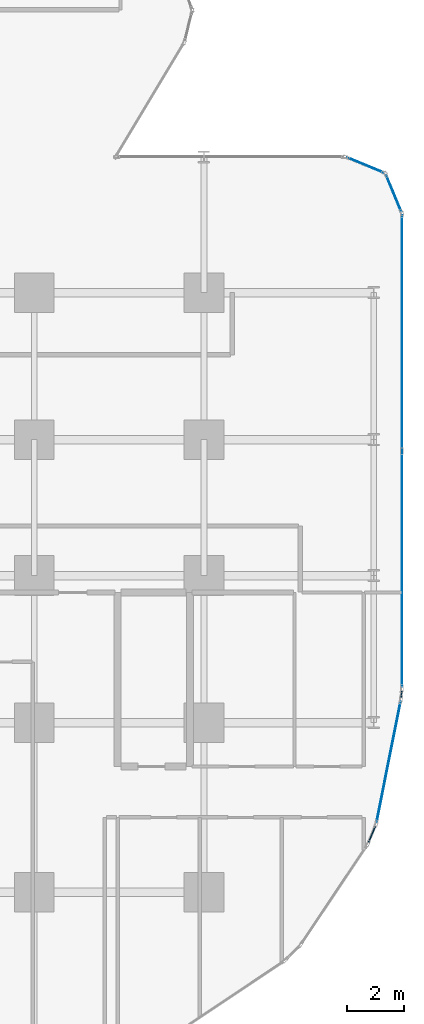
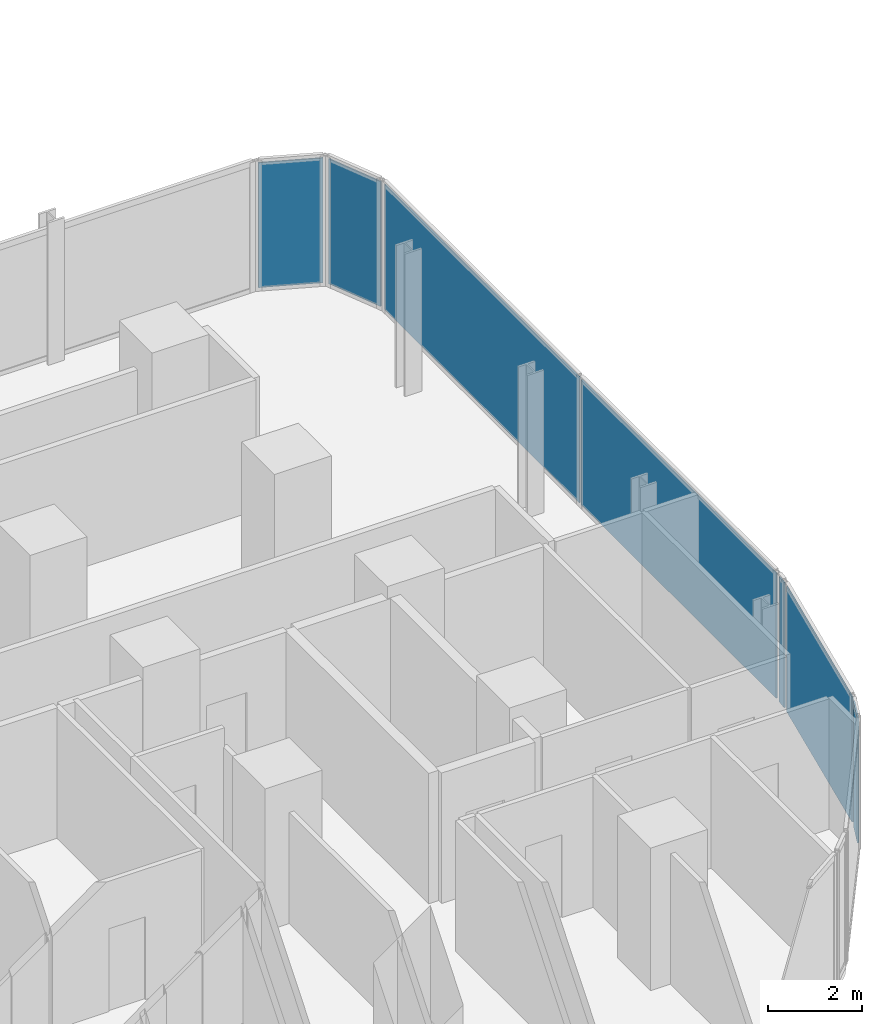
# One storey, part 25 of 33: 7 plates, 6 elements without a shape of their own.
"""IFC4 building model written with IfcOpenShell, lengths in metres."""

from ifc_helpers import new_model, si_unit, direction, frame, origin, origin_2d, place, context, subcontext, project, spatial, rectangle, extrude, material, layer, layer_set, type_object, element, aggregate, save


model = new_model("IFC4")

# Units and contexts
model_context = context("Model", 3, precision=1e-05, world=origin(), true_north=direction((0.0, 1.0)))
body_context = subcontext(model_context, "Body", "Model", "MODEL_VIEW")
ifc_project = project(units=[si_unit("LENGTHUNIT", "METRE"), si_unit("AREAUNIT", "SQUARE_METRE"), si_unit("VOLUMEUNIT", "CUBIC_METRE"), si_unit("PLANEANGLEUNIT", "RADIAN"), si_unit("MASSUNIT", "GRAM", prefix="KILO")], contexts=[model_context])

# Site, building, storey
site_placement = place(None, origin())
site = spatial("IfcSite", under=ifc_project, at=site_placement, CompositionType="ELEMENT")
building_placement = place(site_placement, origin())
building = spatial("IfcBuilding", under=site, at=building_placement, Name="Keshet Zoharim Tower", CompositionType="ELEMENT")
storey_placement = place(building_placement, frame((0.0, 0.0, 27.699951171875)))
storey = spatial("IfcBuildingStorey", under=building, at=storey_placement, Name="L05", CompositionType="ELEMENT", Elevation=27.699951171875)

# Curtain wall, plate
ifc_material_1 = material(Name="Aluminium 6063-T6", Category="aluminium")
ifc_layer_1 = layer(ifc_material_1, 0.179931640625)
ifc_layer_set_1 = layer_set([ifc_layer_1], Name="Aluminium 6063-T6")
curtain_wall_type_1 = type_object("IfcCurtainWallType", Name="CW-SYS-01", PredefinedType="NOTDEFINED", material=ifc_layer_set_1)
curtain_wall_1_placement = place(storey_placement, origin())
curtain_wall_1 = element("IfcCurtainWall", 1, at=curtain_wall_1_placement, inside=storey, type_object=curtain_wall_type_1, Name="L05 Unitised Curtain Wall 19", PredefinedType="NOTDEFINED")
ifc_material_2 = material(Name="Insulated Low-E Clear Glass", Category="glass")
ifc_layer_2 = layer(ifc_material_2, 0.035888671875)
ifc_layer_set_2 = layer_set([ifc_layer_2], Name="Insulated Low-E Clear Glass")
plate_type_1 = type_object("IfcPlateType", Name="CWP-01", PredefinedType="CURTAIN_PANEL", material=ifc_layer_set_2)
plate_1_placement = place(storey_placement, frame((68.9384765625, 8.75439453125, 0.070068359375), z_axis=(0.0, 0.0, 1.0), x_axis=(-0.383068349739, -0.923720000557, 0.0)))
plate_1 = element("IfcPlate", 2, at=plate_1_placement, type_object=plate_type_1, Name="CW-01 panel 1.1", PredefinedType="CURTAIN_PANEL", context=body_context, shape_type="SweptSolid", body=[
    extrude(rectangle(XDim=0.640625, YDim=0.035888671875, at=origin_2d()), origin(), (0.0, 0.0, 1.0), 3.2451171875),
])
aggregate(curtain_wall_1, [plate_1])

ifc_layer_3 = layer(ifc_material_1, 0.169921875)
ifc_layer_set_3 = layer_set([ifc_layer_3], Name="Aluminium 6063-T6")
curtain_wall_type_2 = type_object("IfcCurtainWallType", Name="CW-SYS-02", PredefinedType="NOTDEFINED", material=ifc_layer_set_3)
curtain_wall_2_placement = place(storey_placement, origin())
curtain_wall_2 = element("IfcCurtainWall", 3, at=curtain_wall_2_placement, inside=storey, type_object=curtain_wall_type_2, Name="L05 Unitised Curtain Wall 14", PredefinedType="NOTDEFINED")
ifc_layer_4 = layer(ifc_material_2, 0.031982421875)
ifc_layer_set_4 = layer_set([ifc_layer_4], Name="Insulated Low-E Clear Glass")
plate_type_2 = type_object("IfcPlateType", Name="CWP-02", PredefinedType="CURTAIN_PANEL", material=ifc_layer_set_4)
plate_2_placement = place(storey_placement, frame((68.70703125, 32.406982421875, 0.070068359375), z_axis=(0.0, 0.0, 1.0), x_axis=(0.92380975372, -0.382851849847, 0.0)))
plate_2 = element("IfcPlate", 4, at=plate_2_placement, type_object=plate_type_2, Name="CW-02 panel 1.1", PredefinedType="CURTAIN_PANEL", context=body_context, shape_type="SweptSolid", body=[
    extrude(rectangle(XDim=1.390625, YDim=0.031982421875, at=origin_2d()), origin(), (0.0, 0.0, 1.0), 3.2451171875),
])
aggregate(curtain_wall_2, [plate_2])

curtain_wall_3_placement = place(storey_placement, origin())
curtain_wall_3 = element("IfcCurtainWall", 5, at=curtain_wall_3_placement, inside=storey, type_object=curtain_wall_type_2, Name="L05 Unitised Curtain Wall 15", PredefinedType="NOTDEFINED")
plate_3_placement = place(storey_placement, frame((69.70703125, 31.406982421875, 0.070068359375), z_axis=(0.0, 0.0, 1.0), x_axis=(0.382851849847, -0.92380975372, 0.0)))
plate_3 = element("IfcPlate", 6, at=plate_3_placement, type_object=plate_type_2, Name="CW-02 panel 1.1", PredefinedType="CURTAIN_PANEL", context=body_context, shape_type="SweptSolid", body=[
    extrude(rectangle(XDim=1.390625, YDim=0.031982421875, at=origin_2d()), origin(), (0.0, 0.0, 1.0), 3.2451171875),
])
aggregate(curtain_wall_3, [plate_3])

# Curtain wall, plates
curtain_wall_4_placement = place(storey_placement, origin())
curtain_wall_4 = element("IfcCurtainWall", 7, at=curtain_wall_4_placement, inside=storey, type_object=curtain_wall_type_2, Name="L05 Unitised Curtain Wall 16", PredefinedType="NOTDEFINED")
plate_4_placement = place(storey_placement, frame((70.0, 26.481689453125, 0.070068359375), z_axis=(0.0, 0.0, 1.0), x_axis=(0.0, -1.0, 0.0)))
plate_4 = element("IfcPlate", 8, at=plate_4_placement, type_object=plate_type_2, Name="CW-02 panel 1.1", PredefinedType="CURTAIN_PANEL", context=body_context, shape_type="SweptSolid", body=[
    extrude(rectangle(XDim=8.29638671875, YDim=0.031982421875, at=origin_2d()), origin(), (0.0, 0.0, 1.0), 3.2451171875),
])
plate_5_placement = place(storey_placement, frame((70.0, 18.115234375, 0.070068359375), z_axis=(0.0, 0.0, 1.0), x_axis=(0.0, -1.0, 0.0)))
plate_5 = element("IfcPlate", 9, at=plate_5_placement, type_object=plate_type_2, Name="CW-02 panel 2.1", PredefinedType="CURTAIN_PANEL", context=body_context, shape_type="SweptSolid", body=[
    extrude(rectangle(XDim=8.29638671875, YDim=0.031982421875, at=origin_2d()), origin(), (0.0, 0.0, 1.0), 3.2451171875),
])
aggregate(curtain_wall_4, [plate_4, plate_5])

# Curtain wall, plate
curtain_wall_5_placement = place(storey_placement, origin())
curtain_wall_5 = element("IfcCurtainWall", 10, at=curtain_wall_5_placement, inside=storey, type_object=curtain_wall_type_2, Name="L05 Unitised Curtain Wall 17", PredefinedType="NOTDEFINED")
plate_6_placement = place(storey_placement, frame((69.98095703125, 13.701904296875, 0.070068359375), z_axis=(0.0, 0.0, 1.0), x_axis=(-0.096976648633, -0.995286657009, 0.0)))
plate_6 = element("IfcPlate", 11, at=plate_6_placement, type_object=plate_type_2, Name="CW-02 panel 1.1", PredefinedType="CURTAIN_PANEL", context=body_context, shape_type="SweptSolid", body=[
    extrude(rectangle(XDim=0.251953125, YDim=0.031982421875, at=origin_2d()), origin(), (0.0, 0.0, 1.0), 3.2451171875),
])
aggregate(curtain_wall_5, [plate_6])

curtain_wall_6_placement = place(storey_placement, origin())
curtain_wall_6 = element("IfcCurtainWall", 12, at=curtain_wall_6_placement, inside=storey, type_object=curtain_wall_type_2, Name="L05 Unitised Curtain Wall 18", PredefinedType="NOTDEFINED")
plate_7_placement = place(storey_placement, frame((69.52490234375, 11.31103515625, 0.070068359375), z_axis=(0.0, 0.0, 1.0), x_axis=(-0.195171279072, -0.98076917357, 0.0)))
plate_7 = element("IfcPlate", 13, at=plate_7_placement, type_object=plate_type_2, Name="CW-02 panel 1.1", PredefinedType="CURTAIN_PANEL", context=body_context, shape_type="SweptSolid", body=[
    extrude(rectangle(XDim=4.338134765625, YDim=0.031982421875, at=origin_2d()), origin(), (0.0, 0.0, 1.0), 3.2451171875),
])
aggregate(curtain_wall_6, [plate_7])

save(model, "model.ifc")
